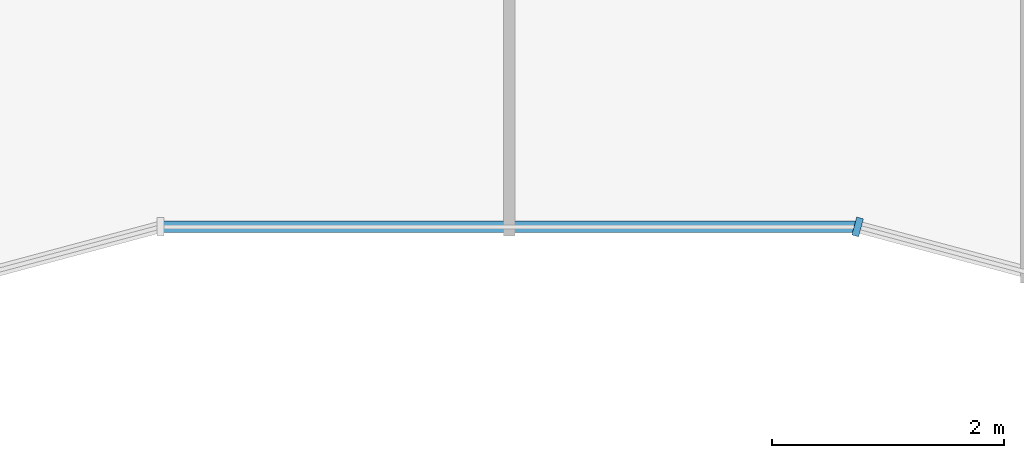
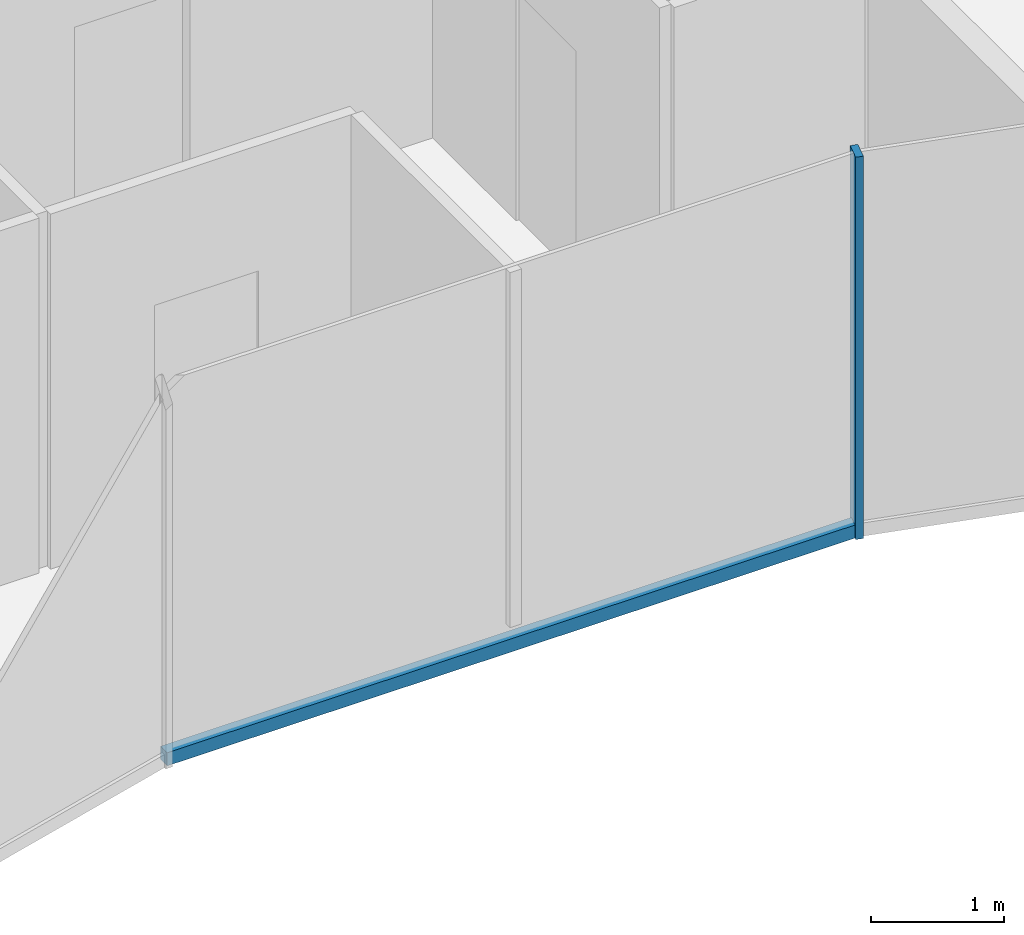
# One storey, part 3 of 15: 2 members, 2 elements without a shape of their own.
"""IFC4 building model written with IfcOpenShell, lengths in metres."""

from ifc_helpers import new_model, si_unit, direction, frame, origin, origin_2d, place, context, subcontext, project, spatial, rectangle, extrude, material, layer, layer_set, material_profile, profile_set, type_object, element, aggregate, save


model = new_model("IFC4")

# Units and contexts
model_context = context("Model", 3, precision=1e-05, world=origin(), true_north=direction((0.0, 1.0)))
body_context = subcontext(model_context, "Body", "Model", "MODEL_VIEW")
ifc_project = project(units=[si_unit("LENGTHUNIT", "METRE"), si_unit("AREAUNIT", "SQUARE_METRE"), si_unit("VOLUMEUNIT", "CUBIC_METRE"), si_unit("PLANEANGLEUNIT", "RADIAN"), si_unit("MASSUNIT", "GRAM", prefix="KILO")], contexts=[model_context])

# Site, building, storey
site_placement = place(None, origin())
site = spatial("IfcSite", under=ifc_project, at=site_placement, CompositionType="ELEMENT")
building_placement = place(site_placement, origin())
building = spatial("IfcBuilding", under=site, at=building_placement, Name="Plateau Cross Towers", CompositionType="ELEMENT")
storey_placement = place(building_placement, frame((0.0, 0.0, 201.39990234375)))
storey = spatial("IfcBuildingStorey", under=building, at=storey_placement, Name="L52", CompositionType="ELEMENT", Elevation=201.39990234375)

# Curtain wall, member
ifc_material_1 = material(Name="Dark low-iron glass", Category="glass")
ifc_layer = layer(ifc_material_1, 0.260009765625)
ifc_layer_set = layer_set([ifc_layer], Name="Dark low-iron glass")
curtain_wall_type = type_object("IfcCurtainWallType", Name="Curtain wall fluted unitised CW-A", PredefinedType="NOTDEFINED", material=ifc_layer_set)
curtain_wall_1_placement = place(storey_placement, origin())
curtain_wall_1 = element("IfcCurtainWall", 1, at=curtain_wall_1_placement, inside=storey, type_object=curtain_wall_type, Name="ENV/A/L52/A300_16", PredefinedType="NOTDEFINED")
ifc_material_2 = material(Name="Black anodised aluminium", Category="aluminium")
ifc_material_profile_1 = material_profile(ifc_material_2, rectangle(XDim=0.06005859375, YDim=0.159912109375, at=origin_2d()), Name="MULLION 60x160")
ifc_profile_set_1 = profile_set([ifc_material_profile_1], Name="Black anodised aluminium")
member_type_1 = type_object("IfcMemberType", Name="Mullion 60x160 fluted unitised", PredefinedType="MULLION", material=ifc_profile_set_1)
member_1_placement = place(storey_placement, frame((30.0, 1.60693359375, -0.25), z_axis=(0.0, 0.0, 1.0), x_axis=(0.965957983404, -0.258699003279, 0.0)))
member_1 = element("IfcMember", 2, at=member_1_placement, type_object=member_type_1, Name="CW-A mullion 1", PredefinedType="MULLION", context=body_context, shape_type="SweptSolid", body=[
    extrude(rectangle(XDim=0.06005859375, YDim=0.159912109375, at=origin_2d()), origin(), (0.0, 0.0, 1.0), 3.5),
])
aggregate(curtain_wall_1, [member_1])

curtain_wall_2_placement = place(storey_placement, origin())
curtain_wall_2 = element("IfcCurtainWall", 3, at=curtain_wall_2_placement, inside=storey, type_object=curtain_wall_type, Name="ENV/A/L52/A240_16", PredefinedType="NOTDEFINED")
ifc_material_profile_2 = material_profile(ifc_material_2, rectangle(XDim=0.10009765625, YDim=0.1201171875, at=origin_2d()), Name="TRANSOM 100x120")
ifc_profile_set_2 = profile_set([ifc_material_profile_2], Name="Black anodised aluminium")
member_type_2 = type_object("IfcMemberType", Name="Transom 100x120 fluted unitised", PredefinedType="USERDEFINED", material=ifc_profile_set_2)
member_2_placement = place(storey_placement, frame((24.0, 1.60693359375, -0.18994140625), z_axis=(1.0, 0.0, 0.0), x_axis=(0.0, 1.0, 0.0)))
member_2 = element("IfcMember", 4, at=member_2_placement, type_object=member_type_2, Name="CW-A transom", ObjectType="TRANSOM", PredefinedType="USERDEFINED", context=body_context, shape_type="SweptSolid", body=[
    extrude(rectangle(XDim=0.10009765625, YDim=0.1201171875, at=origin_2d()), origin(), (0.0, 0.0, 1.0), 6.0),
])
aggregate(curtain_wall_2, [member_2])

save(model, "model.ifc")
